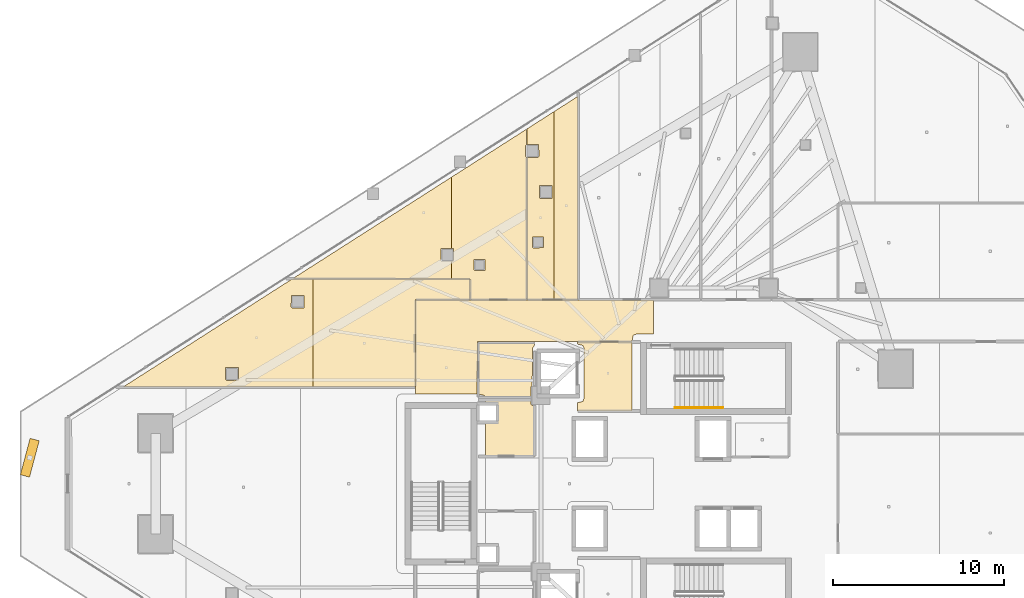
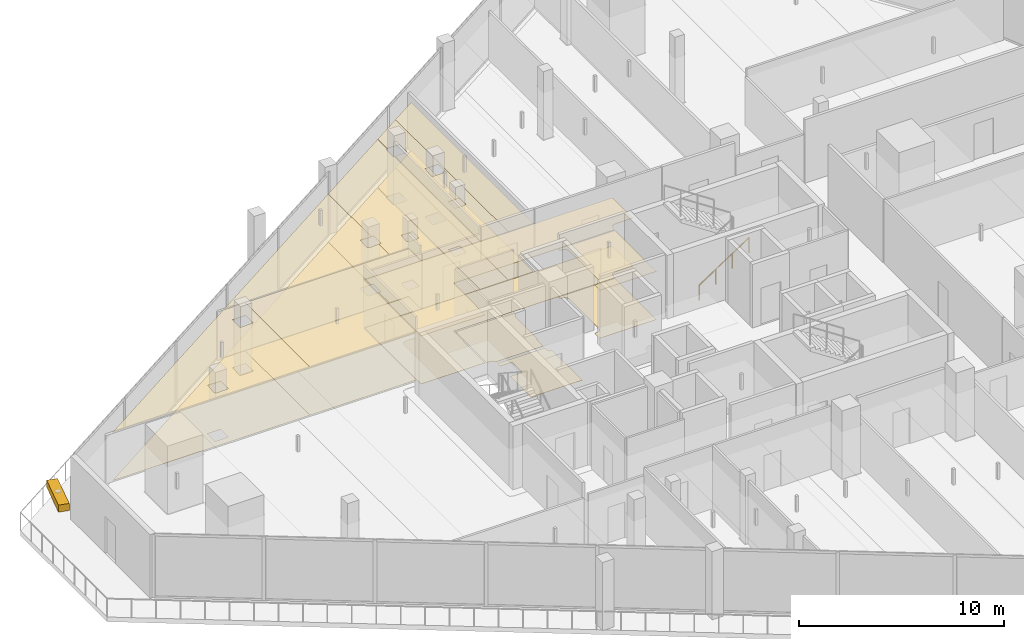
# One storey, part 42 of 44: 18 coverings, 1 railing, 1 shading device.
"""IFC4 building model written with IfcOpenShell, lengths in metres."""

from ifc_helpers import new_model, si_unit, direction, frame, origin, origin_2d, place, context, subcontext, project, spatial, polyline, rectangle, circle, outline, extrude, material, layer, layer_set, type_object, element, save


model = new_model("IFC4")

# Units and contexts
model_context = context("Model", 3, precision=1e-05, world=origin(), true_north=direction((0.0, 1.0)))
body_context = subcontext(model_context, "Body", "Model", "MODEL_VIEW")
ifc_project = project(units=[si_unit("LENGTHUNIT", "METRE"), si_unit("AREAUNIT", "SQUARE_METRE"), si_unit("VOLUMEUNIT", "CUBIC_METRE"), si_unit("PLANEANGLEUNIT", "RADIAN"), si_unit("MASSUNIT", "GRAM", prefix="KILO")], contexts=[model_context])

# Site, building, storey
site_placement = place(None, origin())
site = spatial("IfcSite", under=ifc_project, at=site_placement, CompositionType="ELEMENT")
building_placement = place(site_placement, origin())
building = spatial("IfcBuilding", under=site, at=building_placement, Name="Qorvath Tower", CompositionType="ELEMENT")
storey_placement = place(building_placement, frame((0.0, 0.0, 113.85009765625)))
storey = spatial("IfcBuildingStorey", under=building, at=storey_placement, Name="L25", CompositionType="ELEMENT", Elevation=113.85009765625)

# Coverings
ifc_material_1 = material(Name="Acoustic mineral fibre ceiling tile", Category="gypsum")
ifc_layer_1 = layer(ifc_material_1, 0.030029296875)
ifc_layer_set_1 = layer_set([ifc_layer_1], Name="COV-CEIL")
covering_type_1 = type_object("IfcCoveringType", Name="COV-CEIL", PredefinedType="CEILING", material=ifc_layer_set_1)
covering_1_placement = place(storey_placement, frame((0.0, 0.0, 2.849853515625)))
element("IfcCovering", 1, at=covering_1_placement, inside=storey, type_object=covering_type_1, Name="L25 Suspended Acoustic Ceiling 001", PredefinedType="CEILING", context=body_context, shape_type="SweptSolid", body=[
    extrude(outline(polyline([(-25.18994140625, 4.2548828125), (-25.18994140625, 8.294921875), (-28.375, 8.294921875), (-28.375, 8.159912109375), (-28.063232421875, 8.086669921875), (-27.989990234375, 7.909912109375), (-27.989990234375, 4.989990234375), (-28.063232421875, 4.813232421875), (-28.375, 4.739990234375), (-28.375, 4.2548828125), (-25.18994140625, 4.2548828125)])), origin(), (0.0, 0.0, 1.0), 0.030029296875),
])
covering_2_placement = place(storey_placement, frame((0.0, 0.0, 2.849853515625)))
element("IfcCovering", 2, at=covering_2_placement, inside=storey, type_object=covering_type_1, Name="L25 Suspended Acoustic Ceiling 009", PredefinedType="CEILING", context=body_context, shape_type="SweptSolid", body=[
    extrude(outline(polyline([(-23.919677734375, 8.75), (-23.919677734375, 10.7451171875), (-37.844970703125, 10.7451171875), (-37.844970703125, 5.239990234375), (-34.2509765625, 5.239990234375), (-34.219970703125, 8.324951171875), (-25.18994140625, 8.324951171875), (-25.11669921875, 8.6767578125), (-24.93994140625, 8.75), (-23.919677734375, 8.75)])), origin(), (0.0, 0.0, 1.0), 0.030029296875),
])
covering_3_placement = place(storey_placement, frame((0.0, 0.0, 2.849853515625)))
element("IfcCovering", 3, at=covering_3_placement, inside=storey, type_object=covering_type_1, Name="L25 Suspended Acoustic Ceiling 011", PredefinedType="CEILING", context=body_context, shape_type="SweptSolid", body=[
    extrude(outline(polyline([(-45.030517578125, 11.992919921875), (-35.735595703125, 11.98486328125), (-35.735595703125, 13.01025390625), (-36.3056640625, 12.995849609375), (-36.36572265625, 13.055908203125), (-36.34814453125, 13.748291015625), (-35.735595703125, 13.748291015625), (-35.735595703125, 17.933837890625), (-45.030517578125, 11.992919921875)])), origin(), (0.0, 0.0, 1.0), 0.030029296875),
])
covering_4_placement = place(storey_placement, frame((0.0, 0.0, 2.849853515625)))
element("IfcCovering", 4, at=covering_4_placement, inside=storey, type_object=covering_type_1, Name="L25 Suspended Acoustic Ceiling 012", PredefinedType="CEILING", context=body_context, shape_type="SweptSolid", body=[
    extrude(outline(polyline([(-35.735595703125, 17.933837890625), (-35.735595703125, 13.748291015625), (-35.61328125, 13.748291015625), (-35.61328125, 13.013427734375), (-35.735595703125, 13.01025390625), (-35.735595703125, 11.98486328125), (-34.64990234375, 11.98388671875), (-34.64501953125, 10.762939453125), (-31.346435546875, 10.762939453125), (-31.346435546875, 19.07763671875), (-31.401123046875, 19.135498046875), (-31.401123046875, 19.785400390625), (-31.346435546875, 19.84326171875), (-31.346435546875, 20.7392578125), (-35.735595703125, 17.933837890625)]), holes=[polyline([(-34.439208984375, 12.517578125), (-34.421630859375, 13.10986328125), (-33.786865234375, 13.10986328125), (-33.786865234375, 12.47509765625), (-34.379150390625, 12.45751953125), (-34.439208984375, 12.517578125)])]), origin(), (0.0, 0.0, 1.0), 0.030029296875),
])
covering_5_placement = place(storey_placement, frame((0.0, 0.0, 2.849853515625)))
element("IfcCovering", 5, at=covering_5_placement, inside=storey, type_object=covering_type_1, Name="L25 Suspended Acoustic Ceiling 013", PredefinedType="CEILING", context=body_context, shape_type="SweptSolid", body=[
    extrude(outline(polyline([(-29.749267578125, 10.762939453125), (-29.749267578125, 21.760009765625), (-31.32861328125, 20.750732421875), (-31.32861328125, 19.845458984375), (-30.648681640625, 19.827880859375), (-30.631103515625, 19.135498046875), (-30.691162109375, 19.075439453125), (-31.32861328125, 19.075439453125), (-31.32861328125, 10.762939453125), (-29.749267578125, 10.762939453125)]), holes=[polyline([(-30.60986328125, 16.734619140625), (-30.59228515625, 17.427001953125), (-29.857421875, 17.427001953125), (-29.857421875, 16.692138671875), (-30.5498046875, 16.674560546875), (-30.60986328125, 16.734619140625)]), polyline([(-31.01220703125, 13.849365234375), (-30.99462890625, 14.441650390625), (-30.35986328125, 14.441650390625), (-30.35986328125, 13.806884765625), (-30.9521484375, 13.789306640625), (-31.01220703125, 13.849365234375)])]), origin(), (0.0, 0.0, 1.0), 0.030029296875),
])
covering_6_placement = place(storey_placement, frame((0.0, 0.0, 2.849853515625)))
element("IfcCovering", 6, at=covering_6_placement, inside=storey, type_object=covering_type_1, Name="L25 Suspended Acoustic Ceiling 014", PredefinedType="CEILING", context=body_context, shape_type="SweptSolid", body=[
    extrude(outline(polyline([(-28.33642578125, 22.6630859375), (-29.749267578125, 21.760009765625), (-29.749267578125, 10.762939453125), (-28.33642578125, 10.762939453125), (-28.33642578125, 22.6630859375)])), origin(), (0.0, 0.0, 1.0), 0.030029296875),
])
covering_7_placement = place(storey_placement, frame((0.0, 0.0, 2.849853515625)))
element("IfcCovering", 7, at=covering_7_placement, inside=storey, type_object=covering_type_1, Name="L25 Suspended Acoustic Ceiling 048", PredefinedType="CEILING", context=body_context, shape_type="SweptSolid", body=[
    extrude(outline(polyline([(-43.84912109375, 5.655029296875), (-43.84912109375, 11.973876953125), (-45.059326171875, 11.974853515625), (-54.95068359375, 5.653076171875), (-43.84912109375, 5.655029296875)]), holes=[polyline([(-45.121337890625, 10.327392578125), (-45.103759765625, 11.019775390625), (-44.368896484375, 11.019775390625), (-44.368896484375, 10.284912109375), (-45.061279296875, 10.267333984375), (-45.121337890625, 10.327392578125)]), polyline([(-48.96337890625, 6.099609375), (-48.94580078125, 6.7919921875), (-48.2109375, 6.7919921875), (-48.2109375, 6.05712890625), (-48.9033203125, 6.03955078125), (-48.96337890625, 6.099609375)])]), origin(), (0.0, 0.0, 1.0), 0.030029296875),
])
covering_8_placement = place(storey_placement, frame((0.0, 0.0, 2.849853515625)))
element("IfcCovering", 8, at=covering_8_placement, inside=storey, type_object=covering_type_1, Name="L25 Suspended Acoustic Ceiling 049", PredefinedType="CEILING", context=body_context, shape_type="SweptSolid", body=[
    extrude(outline(polyline([(-34.6630859375, 10.762939453125), (-34.6630859375, 11.9658203125), (-43.84912109375, 11.973876953125), (-43.84912109375, 5.655029296875), (-37.863037109375, 5.656005859375), (-37.861572265625, 10.761474609375), (-34.6630859375, 10.762939453125)])), origin(), (0.0, 0.0, 1.0), 0.030029296875),
])
ifc_material_2 = material(Name="Low-VOC modular carpet tile", Category="textile")
ifc_layer_2 = layer(ifc_material_2, 0.014892578125)
ifc_layer_set_2 = layer_set([ifc_layer_2], Name="COV-FLOOR-CPT")
covering_type_2 = type_object("IfcCoveringType", Name="COV-FLOOR-CPT", PredefinedType="FLOORING", material=ifc_layer_set_2)
covering_9_placement = place(storey_placement, origin())
element("IfcCovering", 9, at=covering_9_placement, inside=storey, type_object=covering_type_2, Name="L25 Floor Finish 005", PredefinedType="FLOORING", context=body_context, shape_type="SweptSolid", body=[
    extrude(outline(polyline([(-31.0849609375, 4.89501953125), (-33.760009765625, 4.89501953125), (-33.760009765625, 4.633056640625), (-33.08837890625, 4.631591796875), (-33.0869140625, 3.64208984375), (-33.760009765625, 3.636962890625), (-33.760009765625, 1.60498046875), (-30.885009765625, 1.60498046875), (-30.885009765625, 4.56494140625), (-31.02490234375, 4.56494140625), (-31.0849609375, 4.625), (-31.0849609375, 4.89501953125)])), origin(), (0.0, 0.0, 1.0), 0.014892578125),
])
covering_10_placement = place(storey_placement, origin())
element("IfcCovering", 10, at=covering_10_placement, inside=storey, type_object=covering_type_2, Name="L25 Floor Finish 011", PredefinedType="FLOORING", context=body_context, shape_type="SweptSolid", body=[
    extrude(outline(polyline([(-45.030517578125, 11.992919921875), (-35.735595703125, 11.98486328125), (-35.735595703125, 13.01025390625), (-36.3056640625, 12.995849609375), (-36.36572265625, 13.055908203125), (-36.34814453125, 13.748291015625), (-35.735595703125, 13.748291015625), (-35.735595703125, 17.933837890625), (-45.030517578125, 11.992919921875)])), origin(), (0.0, 0.0, 1.0), 0.014892578125),
])
covering_11_placement = place(storey_placement, origin())
element("IfcCovering", 11, at=covering_11_placement, inside=storey, type_object=covering_type_2, Name="L25 Floor Finish 012", PredefinedType="FLOORING", context=body_context, shape_type="SweptSolid", body=[
    extrude(outline(polyline([(-35.735595703125, 17.933837890625), (-35.735595703125, 13.748291015625), (-35.61328125, 13.748291015625), (-35.61328125, 13.013427734375), (-35.735595703125, 13.01025390625), (-35.735595703125, 11.98486328125), (-34.64990234375, 11.98388671875), (-34.64501953125, 10.762939453125), (-31.346435546875, 10.762939453125), (-31.346435546875, 19.07763671875), (-31.401123046875, 19.135498046875), (-31.401123046875, 19.785400390625), (-31.346435546875, 19.84326171875), (-31.346435546875, 20.7392578125), (-35.735595703125, 17.933837890625)]), holes=[polyline([(-34.439208984375, 12.517578125), (-34.421630859375, 13.10986328125), (-33.786865234375, 13.10986328125), (-33.786865234375, 12.47509765625), (-34.379150390625, 12.45751953125), (-34.439208984375, 12.517578125)])]), origin(), (0.0, 0.0, 1.0), 0.014892578125),
])
covering_12_placement = place(storey_placement, origin())
element("IfcCovering", 12, at=covering_12_placement, inside=storey, type_object=covering_type_2, Name="L25 Floor Finish 013", PredefinedType="FLOORING", context=body_context, shape_type="SweptSolid", body=[
    extrude(outline(polyline([(-29.749267578125, 10.762939453125), (-29.749267578125, 21.760009765625), (-31.32861328125, 20.750732421875), (-31.32861328125, 19.845458984375), (-30.648681640625, 19.827880859375), (-30.631103515625, 19.135498046875), (-30.691162109375, 19.075439453125), (-31.32861328125, 19.075439453125), (-31.32861328125, 10.762939453125), (-29.749267578125, 10.762939453125)]), holes=[polyline([(-30.60986328125, 16.734619140625), (-30.59228515625, 17.427001953125), (-29.857421875, 17.427001953125), (-29.857421875, 16.692138671875), (-30.5498046875, 16.674560546875), (-30.60986328125, 16.734619140625)]), polyline([(-31.01220703125, 13.849365234375), (-30.99462890625, 14.441650390625), (-30.35986328125, 14.441650390625), (-30.35986328125, 13.806884765625), (-30.9521484375, 13.789306640625), (-31.01220703125, 13.849365234375)])]), origin(), (0.0, 0.0, 1.0), 0.014892578125),
])
covering_13_placement = place(storey_placement, origin())
element("IfcCovering", 13, at=covering_13_placement, inside=storey, type_object=covering_type_2, Name="L25 Floor Finish 014", PredefinedType="FLOORING", context=body_context, shape_type="SweptSolid", body=[
    extrude(outline(polyline([(-28.33642578125, 22.6630859375), (-29.749267578125, 21.760009765625), (-29.749267578125, 10.762939453125), (-28.33642578125, 10.762939453125), (-28.33642578125, 22.6630859375)])), origin(), (0.0, 0.0, 1.0), 0.014892578125),
])
covering_14_placement = place(storey_placement, origin())
element("IfcCovering", 14, at=covering_14_placement, inside=storey, type_object=covering_type_2, Name="L25 Floor Finish 048", PredefinedType="FLOORING", context=body_context, shape_type="SweptSolid", body=[
    extrude(outline(polyline([(-43.84912109375, 5.655029296875), (-43.84912109375, 11.973876953125), (-45.059326171875, 11.974853515625), (-54.95068359375, 5.653076171875), (-43.84912109375, 5.655029296875)]), holes=[polyline([(-45.121337890625, 10.327392578125), (-45.103759765625, 11.019775390625), (-44.368896484375, 11.019775390625), (-44.368896484375, 10.284912109375), (-45.061279296875, 10.267333984375), (-45.121337890625, 10.327392578125)]), polyline([(-48.96337890625, 6.099609375), (-48.94580078125, 6.7919921875), (-48.2109375, 6.7919921875), (-48.2109375, 6.05712890625), (-48.9033203125, 6.03955078125), (-48.96337890625, 6.099609375)])]), origin(), (0.0, 0.0, 1.0), 0.014892578125),
])
covering_15_placement = place(storey_placement, origin())
element("IfcCovering", 15, at=covering_15_placement, inside=storey, type_object=covering_type_2, Name="L25 Floor Finish 049", PredefinedType="FLOORING", context=body_context, shape_type="SweptSolid", body=[
    extrude(outline(polyline([(-34.6630859375, 10.762939453125), (-34.6630859375, 11.9658203125), (-43.84912109375, 11.973876953125), (-43.84912109375, 5.655029296875), (-37.863037109375, 5.656005859375), (-37.861572265625, 10.761474609375), (-34.6630859375, 10.762939453125)])), origin(), (0.0, 0.0, 1.0), 0.014892578125),
])
ifc_material_3 = material(Name="Polished epoxy terrazzo flooring", Category="concrete")
ifc_layer_3 = layer(ifc_material_3, 0.02001953125)
ifc_layer_set_3 = layer_set([ifc_layer_3], Name="COV-FLOOR-TRZ")
covering_type_3 = type_object("IfcCoveringType", Name="COV-FLOOR-TRZ", PredefinedType="FLOORING", material=ifc_layer_set_3)
covering_16_placement = place(storey_placement, origin())
element("IfcCovering", 16, at=covering_16_placement, inside=storey, type_object=covering_type_3, Name="L25 Floor Finish 001", PredefinedType="FLOORING", context=body_context, shape_type="SweptSolid", body=[
    extrude(outline(polyline([(-25.18994140625, 4.2548828125), (-25.18994140625, 8.294921875), (-28.375, 8.294921875), (-28.375, 8.159912109375), (-28.063232421875, 8.086669921875), (-27.989990234375, 7.909912109375), (-27.989990234375, 4.989990234375), (-28.063232421875, 4.813232421875), (-28.375, 4.739990234375), (-28.375, 4.2548828125), (-25.18994140625, 4.2548828125)])), origin(), (0.0, 0.0, 1.0), 0.014892578125),
])
covering_17_placement = place(storey_placement, origin())
element("IfcCovering", 17, at=covering_17_placement, inside=storey, type_object=covering_type_3, Name="L25 Floor Finish 004", PredefinedType="FLOORING", context=body_context, shape_type="SweptSolid", body=[
    extrude(outline(polyline([(-31.010009765625, 7.909912109375), (-30.885009765625, 8.108154296875), (-30.885009765625, 8.2451171875), (-34.175048828125, 8.2451171875), (-34.175048828125, 5.239990234375), (-33.833251953125, 5.166748046875), (-33.786865234375, 5.054931640625), (-31.0849609375, 5.054931640625), (-31.0849609375, 5.675048828125), (-31.02490234375, 5.735107421875), (-31.010009765625, 7.909912109375)])), origin(), (0.0, 0.0, 1.0), 0.014892578125),
])
covering_18_placement = place(storey_placement, origin())
element("IfcCovering", 18, at=covering_18_placement, inside=storey, type_object=covering_type_3, Name="L25 Floor Finish 009", PredefinedType="FLOORING", context=body_context, shape_type="SweptSolid", body=[
    extrude(outline(polyline([(-23.919677734375, 8.75), (-23.919677734375, 10.7451171875), (-37.844970703125, 10.7451171875), (-37.844970703125, 5.239990234375), (-34.2509765625, 5.239990234375), (-34.219970703125, 8.324951171875), (-25.18994140625, 8.324951171875), (-25.11669921875, 8.6767578125), (-24.93994140625, 8.75), (-23.919677734375, 8.75)])), origin(), (0.0, 0.0, 1.0), 0.014892578125),
])

# Railing
ifc_material_4 = material(Name="Brushed stainless steel AISI 304", Category="steel")
railing_type = type_object("IfcRailingType", Name="RL-STR-HND", PredefinedType="HANDRAIL", material=ifc_material_4)
railing_placement = place(storey_placement, frame((-22.669921875, 4.449951171875, 0.18408203125)))
element("IfcRailing", 19, at=railing_placement, inside=storey, type_object=railing_type, Name="L25 TS1 stair handrail 1", PredefinedType="HANDRAIL", context=body_context, shape_type="SweptSolid", body=[
    extrude(circle(Radius=0.02392578125, at=origin_2d()), frame((0.0, 0.0, 0.8759765625), z_axis=(0.835575518608, 0.0, 0.549375602573), x_axis=(0.0, 1.0, 0.0)), (0.0, 0.0, 1.0), 3.350830078125),
    extrude(circle(Radius=0.02099609375, at=origin_2d()), origin(), (0.0, 0.0, 1.0), 0.851806640625),
    extrude(circle(Radius=0.02099609375, at=origin_2d()), frame((0.933349609375, 0.0, 0.613525390625)), (0.0, 0.0, 1.0), 0.851806640625),
    extrude(circle(Radius=0.02099609375, at=origin_2d()), frame((1.866455078125, 0.0, 1.227294921875)), (0.0, 0.0, 1.0), 0.851806640625),
    extrude(circle(Radius=0.02099609375, at=origin_2d()), frame((2.7998046875, 0.0, 1.8408203125)), (0.0, 0.0, 1.0), 0.851806640625),
])

# Shading device
ifc_material_5 = material(Name="Anodised bronze-champagne aluminium", Category="aluminium")
shading_device_type = type_object("IfcShadingDeviceType", Name="SD-LOUVRE", PredefinedType="JALOUSIE", material=ifc_material_5)
shading_device_placement = place(storey_placement, frame((-60.404296875, 1.518798828125, 3.35009765625), z_axis=(0.0, 0.0, 1.0), x_axis=(-0.257048459954, -0.966398514711, 0.0)))
element("IfcShadingDevice", 20, at=shading_device_placement, inside=storey, type_object=shading_device_type, Name="Sinusoidal Wave Louvre Blade L25-01", PredefinedType="NOTDEFINED", context=body_context, shape_type="SweptSolid", body=[
    extrude(rectangle(XDim=2.199951171875, YDim=0.550048828125, at=origin_2d()), origin(), (0.0, 0.0, 1.0), 0.419921875),
])

save(model, "model.ifc")
